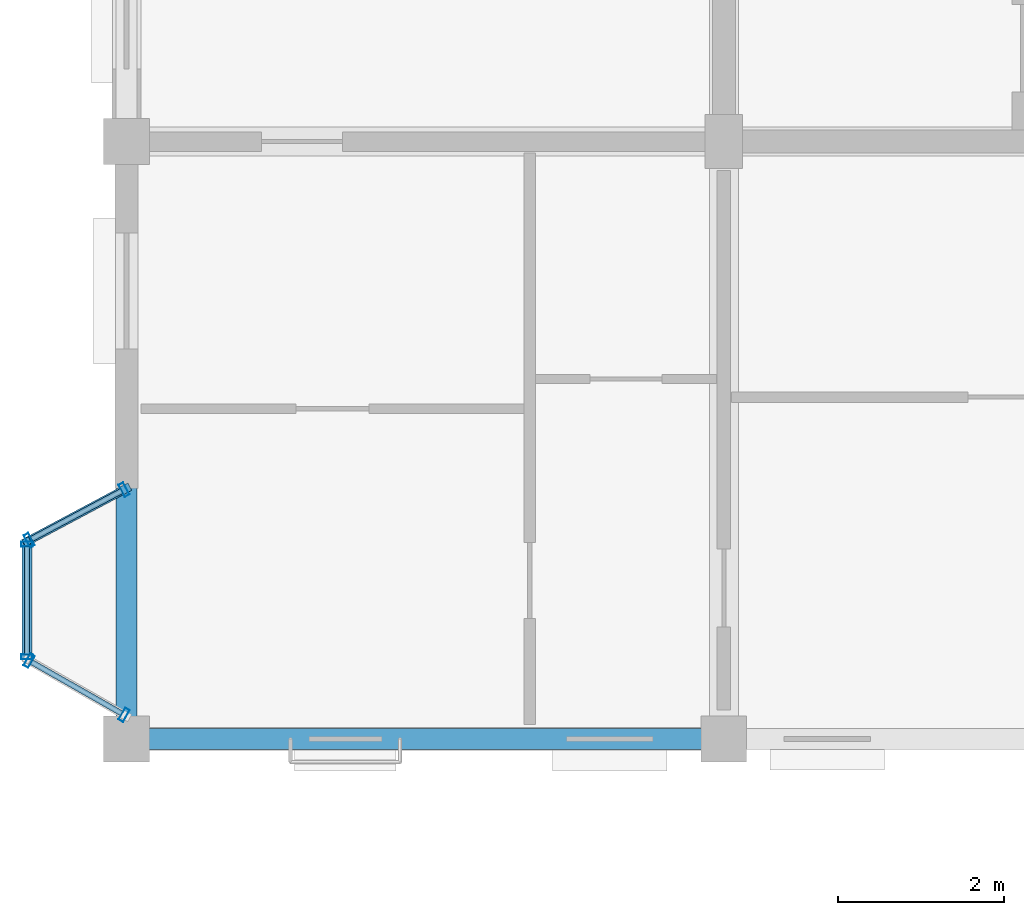
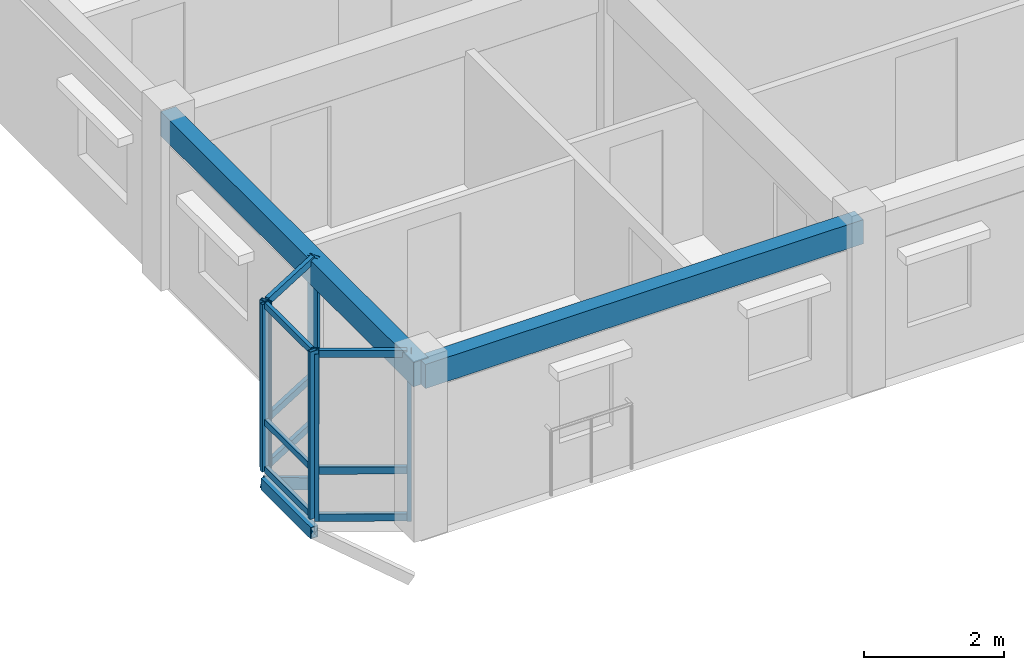
# One storey, part 13 of 79: 17 members, 2 beams, 3 elements without a shape of their own.
"""IFC4 building model written with IfcOpenShell, lengths in metres."""

import ifcopenshell
import ifcopenshell.guid

model = None  # the IFC model being written
_history = None  # IfcOwnerHistory: only IFC2X3 demands one
_inside = {}  # id of a spatial element -> (the spatial element, [elements in it])
_under = {}  # id of a project, library or spatial element -> (it, [spatial elements below it])
_declared = {}  # id of a project -> (the project, [libraries it declares])
_typed = {}  # id of a type object -> (the type object, [elements of that type])
_made_of = {}  # id of a material, layer set ... -> (it, [elements and type objects made of it])


def new_model(schema):
    """Start an empty IFC model of exactly this schema.

    Asked for "IFC4X3", IfcOpenShell would pick the latest addendum, in which some entities
    have other attributes; the version numbers below select the first issue.
    IFC2X3 requires an IfcOwnerHistory on every rooted entity: one is made here for all.
    """
    global model, _history
    if schema == "IFC4X3":
        model = ifcopenshell.file(schema_version=(4, 3, 0, 0))
    else:
        model = ifcopenshell.file(schema=schema)
    _inside.clear()
    _under.clear()
    _declared.clear()
    _typed.clear()
    _made_of.clear()
    _history = None
    if model.schema == "IFC2X3":
        org = make("IfcOrganization", Name="unknown")
        user = make(
            "IfcPersonAndOrganization",
            ThePerson=make("IfcPerson", FamilyName="unknown"),
            TheOrganization=org,
        )
        app = make(
            "IfcApplication",
            ApplicationDeveloper=org,
            Version="unknown",
            ApplicationFullName="unknown",
            ApplicationIdentifier="unknown",
        )
        _history = make(
            "IfcOwnerHistory",
            OwningUser=user,
            OwningApplication=app,
            ChangeAction="ADDED",
            CreationDate=0,
        )
    return model


def make(cls, **values):
    """One entity of the class cls with the attributes given. An attribute that is None is left unset."""
    return model.create_entity(
        cls, **{name: value for name, value in values.items() if value is not None}
    )


def rooted(cls, **values):
    """An entity with a GlobalId (a new one), such as an element, a storey or a relation."""
    return make(cls, GlobalId=ifcopenshell.guid.new(), OwnerHistory=_history, **values)


def si_unit(unit_type, name, prefix=None):
    """IfcSIUnit, for example si_unit("LENGTHUNIT", "METRE", prefix="MILLI")."""
    return make("IfcSIUnit", UnitType=unit_type, Prefix=prefix, Name=name)


def assignment(units):
    """IfcUnitAssignment: the units of a project."""
    return None if units is None else make("IfcUnitAssignment", Units=units)


def point(xyz):
    """IfcCartesianPoint."""
    return None if xyz is None else make("IfcCartesianPoint", Coordinates=xyz)


def direction(xyz):
    """IfcDirection."""
    return None if xyz is None else make("IfcDirection", DirectionRatios=xyz)


def frame(location, z_axis=None, x_axis=None):
    """IfcAxis2Placement3D, a coordinate frame: its origin and axes. An axis left out is left unset."""
    return make(
        "IfcAxis2Placement3D",
        Location=point(location),
        Axis=direction(z_axis),
        RefDirection=direction(x_axis),
    )


def frame_2d(location, x_axis=None):
    """IfcAxis2Placement2D, a coordinate frame in the plane: its origin and x axis."""
    return make(
        "IfcAxis2Placement2D", Location=point(location), RefDirection=direction(x_axis)
    )


def origin():
    """The frame at (0, 0, 0) with its axes left unset."""
    return frame((0.0, 0.0, 0.0))


def origin_2d():
    """The frame at (0, 0) in the plane with its x axis left unset."""
    return frame_2d((0.0, 0.0))


def place(relative_to, where):
    """IfcLocalPlacement: puts the frame where relative to a parent placement (None: the world)."""
    return make(
        "IfcLocalPlacement", PlacementRelTo=relative_to, RelativePlacement=where
    )


def context(
    kind, dimensions, precision=None, world=None, true_north=None, identifier=None
):
    """IfcGeometricRepresentationContext, for example the 3D "Model" context."""
    return make(
        "IfcGeometricRepresentationContext",
        ContextIdentifier=identifier,
        ContextType=kind,
        CoordinateSpaceDimension=dimensions,
        Precision=precision,
        WorldCoordinateSystem=world,
        TrueNorth=true_north,
    )


def subcontext(parent, identifier, kind, view, scale=None):
    """IfcGeometricRepresentationSubContext, for example "Body" below "Model"."""
    return make(
        "IfcGeometricRepresentationSubContext",
        ContextIdentifier=identifier,
        ContextType=kind,
        ParentContext=parent,
        TargetScale=scale,
        TargetView=view,
    )


def project(units=None, contexts=None):
    """IfcProject with its units and contexts."""
    return rooted(
        "IfcProject",
        Name="project",
        RepresentationContexts=contexts,
        UnitsInContext=assignment(units),
    )


def spatial(cls, under=None, at=None, **own):
    """A site, building, storey or space (cls), placed at a placement, below another one or the project."""
    s = rooted(cls, ObjectPlacement=at, **own)
    if under is not None:
        _under.setdefault(under.id(), (under, []))[1].append(s)
    return s


def profile(cls, at=None, kind="AREA", **sizes):
    """A parametric profile (cls). Its sizes go by their IFC names, for example OverallWidth=200.0."""
    return make(cls, ProfileType=kind, Position=at, **sizes)


def rectangle(**sizes):
    """IfcRectangleProfileDef."""
    return profile("IfcRectangleProfileDef", **sizes)


def hollow_rectangle(**sizes):
    """IfcRectangleHollowProfileDef."""
    return profile("IfcRectangleHollowProfileDef", **sizes)


def extrude(swept, where, along, depth):
    """IfcExtrudedAreaSolid: the profile swept, set in the frame where, extruded along a direction by depth."""
    return make(
        "IfcExtrudedAreaSolid",
        SweptArea=swept,
        Position=where,
        ExtrudedDirection=direction(along),
        Depth=depth,
    )


def shape(context_of_items, identifier, shape_type, items):
    """IfcShapeRepresentation: the items that make up one representation, for example the "Body"."""
    return make(
        "IfcShapeRepresentation",
        ContextOfItems=context_of_items,
        RepresentationIdentifier=identifier,
        RepresentationType=shape_type,
        Items=items,
    )


def material(Name=None, Category=None):
    """IfcMaterial."""
    return make("IfcMaterial", Name=Name, Category=Category)


def layer(
    of_material, thickness, ventilated=None, Name=None, Category=None, Priority=None
):
    """IfcMaterialLayer: one layer of a wall or slab, of a material (None: an air gap)."""
    return make(
        "IfcMaterialLayer",
        Material=of_material,
        LayerThickness=thickness,
        IsVentilated=ventilated,
        Name=Name,
        Category=Category,
        Priority=Priority,
    )


def layer_set(layers, Name=None):
    """IfcMaterialLayerSet."""
    return make("IfcMaterialLayerSet", MaterialLayers=layers, LayerSetName=Name)


def material_profile(
    of_material, cross_section, Name=None, Category=None, Priority=None
):
    """IfcMaterialProfile: a cross section and its material."""
    return make(
        "IfcMaterialProfile",
        Name=Name,
        Material=of_material,
        Profile=cross_section,
        Priority=Priority,
        Category=Category,
    )


def profile_set(profiles, Name=None, composite=None):
    """IfcMaterialProfileSet."""
    return make(
        "IfcMaterialProfileSet",
        Name=Name,
        MaterialProfiles=profiles,
        CompositeProfile=composite,
    )


def made_of(thing, what):
    """Note that an element or type object is made of a material, layer set ...; save() writes the relation."""
    if what is not None:
        _made_of.setdefault(what.id(), (what, []))[1].append(thing)
    return thing


def type_object(cls, material=None, **own):
    """A type object (cls), such as IfcWallType, which elements share."""
    return made_of(rooted(cls, **own), material)


def element(
    cls,
    number,
    at=None,
    inside=None,
    cuts=None,
    type_object=None,
    material=None,
    context=None,
    identifier="Body",
    shape_type=None,
    held_by="IfcProductDefinitionShape",
    body=None,
    shapes=None,
    **own,
):
    """One element of the class cls, such as IfcWall. Its Tag is "e" and its number.

    at: its placement. inside: the storey or other place that contains it. cuts: it is an
    opening in that element (IfcRelVoidsElement). A single representation is given by context,
    identifier, shape_type and body (its items); several are given by shapes. held_by: the class
    of the entity that holds the representations. save() writes the other relations.
    """
    e = rooted(cls, Tag="e%d" % number, ObjectPlacement=at, **own)
    if body is not None:
        shapes = [shape(context, identifier, shape_type, body)]
    if shapes is not None:
        e.Representation = make(held_by, Representations=shapes)
    if inside is not None:
        _inside.setdefault(inside.id(), (inside, []))[1].append(e)
    if cuts is not None:
        rooted(
            "IfcRelVoidsElement", RelatingBuildingElement=cuts, RelatedOpeningElement=e
        )
    if type_object is not None:
        _typed.setdefault(type_object.id(), (type_object, []))[1].append(e)
    return made_of(e, material)


def aggregate(whole, parts):
    """IfcRelAggregates: a whole, such as a stair, and the parts it consists of."""
    return rooted("IfcRelAggregates", RelatingObject=whole, RelatedObjects=parts)


def save(model, path):
    """Write the relations noted so far, then the file.

    IfcRelAggregates (storeys below a building ...), IfcRelContainedInSpatialStructure (elements
    in a storey), IfcRelDefinesByType, IfcRelAssociatesMaterial and IfcRelDeclares: one each for
    every whole, place, type object, material and project.
    """
    for whole, parts in _under.values():
        aggregate(whole, parts)
    for where, things in _inside.values():
        rooted(
            "IfcRelContainedInSpatialStructure",
            RelatedElements=things,
            RelatingStructure=where,
        )
    for kind, things in _typed.values():
        rooted("IfcRelDefinesByType", RelatedObjects=things, RelatingType=kind)
    for what, things in _made_of.values():
        rooted("IfcRelAssociatesMaterial", RelatedObjects=things, RelatingMaterial=what)
    for by, libraries in _declared.values():
        rooted("IfcRelDeclares", RelatingContext=by, RelatedDefinitions=libraries)
    model.write(path)


model = new_model("IFC4")

# Units and contexts
model_context = context("Model", 3, precision=1e-05, world=origin(), true_north=direction((0.0, 1.0)))
body_context = subcontext(model_context, "Body", "Model", "MODEL_VIEW")
ifc_project = project(units=[si_unit("LENGTHUNIT", "METRE"), si_unit("AREAUNIT", "SQUARE_METRE"), si_unit("VOLUMEUNIT", "CUBIC_METRE"), si_unit("PLANEANGLEUNIT", "RADIAN"), si_unit("MASSUNIT", "GRAM", prefix="KILO"), si_unit("THERMODYNAMICTEMPERATUREUNIT", "KELVIN"), si_unit("POWERUNIT", "WATT")], contexts=[model_context])

# Site, building, storey
site_placement = place(None, origin())
site = spatial("IfcSite", under=ifc_project, at=site_placement, CompositionType="ELEMENT")
building_placement = place(site_placement, origin())
building = spatial("IfcBuilding", under=site, at=building_placement, Name="Tavuni Mirador Residences", CompositionType="ELEMENT")
storey_placement = place(building_placement, frame((0.0, 0.0, 13.949951171875)))
storey = spatial("IfcBuildingStorey", under=building, at=storey_placement, Name="L04", CompositionType="ELEMENT", Elevation=13.949951171875)

# Beams
ifc_material_1 = material(Name="Precast concrete C40/50", Category="concrete")
ifc_material_profile_1 = material_profile(ifc_material_1, rectangle(XDim=0.25, YDim=0.419921875, at=origin_2d()), Name="PC 250x420", Category="concrete")
ifc_profile_set_1 = profile_set([ifc_material_profile_1], Name="Precast concrete C40/50")
beam_type = type_object("IfcBeamType", Name="BT-SP420", PredefinedType="SPANDREL", material=ifc_profile_set_1)
for number, where, z_axis, x_axis, name in (
    (1, (3.60009765625, 64.800048828125, 2.699951171875), (1.0, 0.0, 0.0), (0.0, 1.0, 0.0), "BMX-BLK-B-L04-00-00"),
    (2, (3.60009765625, 64.800048828125, 2.699951171875), (0.0, 1.0, 0.0), (-1.0, 0.0, 0.0), "BMY-BLK-B-L04-00-00"),
):
    element("IfcBeam", number, at=place(storey_placement, frame(where, z_axis=z_axis, x_axis=x_axis)), inside=storey, type_object=beam_type, Name=name, PredefinedType="SPANDREL", context=body_context, shape_type="SweptSolid", body=[
        extrude(rectangle(XDim=0.25, YDim=0.419921875, at=origin_2d()), origin(), (0.0, 0.0, 1.0), 7.199951171875),
    ])

# Curtain wall, members
ifc_material_2 = material(Name="Anodised aluminium", Category="aluminium")
ifc_layer_1 = layer(ifc_material_2, 0.175048828125, Name="Anodised aluminium", Category="aluminium")
ifc_layer_set_1 = layer_set([ifc_layer_1], Name="Anodised aluminium")
curtain_wall_type_1 = type_object("IfcCurtainWallType", Name="CWT-MIR-C", PredefinedType="NOTDEFINED", material=ifc_layer_set_1)
curtain_wall_1_placement = place(storey_placement, origin())
curtain_wall_1 = element("IfcCurtainWall", 3, at=curtain_wall_1_placement, inside=storey, type_object=curtain_wall_type_1, Name="CW-MIR-B-W1-L04-MF", PredefinedType="NOTDEFINED")
ifc_material_profile_2 = material_profile(ifc_material_2, hollow_rectangle(XDim=0.06005859375, YDim=0.139892578125, WallThickness=0.00390625, at=origin_2d()), Name="ALU 60x140x4.0", Category="aluminium")
ifc_profile_set_2 = profile_set([ifc_material_profile_2], Name="Anodised aluminium")
member_type_1 = type_object("IfcMemberType", Name="CWM-140", PredefinedType="MULLION", material=ifc_profile_set_2)
member_1_placement = place(storey_placement, frame((2.39990234375, 67.14990234375, 0.0), z_axis=(0.0, 0.0, 1.0), x_axis=(0.0, -1.0, 0.0)))
member_1 = element("IfcMember", 4, at=member_1_placement, type_object=member_type_1, Name="CW-03 mullion 1", PredefinedType="MULLION", context=body_context, shape_type="SweptSolid", body=[
    extrude(hollow_rectangle(XDim=0.06005859375, YDim=0.139892578125, WallThickness=0.00390625, at=origin_2d()), origin(), (0.0, 0.0, 1.0), 2.91015625),
])
member_2_placement = place(storey_placement, frame((2.39990234375, 65.7900390625, 0.0), z_axis=(0.0, 0.0, 1.0), x_axis=(0.0, -1.0, 0.0)))
member_2 = element("IfcMember", 5, at=member_2_placement, type_object=member_type_1, Name="CW-03 mullion 2", PredefinedType="MULLION", context=body_context, shape_type="SweptSolid", body=[
    extrude(hollow_rectangle(XDim=0.06005859375, YDim=0.139892578125, WallThickness=0.00390625, at=origin_2d()), origin(), (0.0, 0.0, 1.0), 2.91015625),
])

ifc_layer_2 = layer(ifc_material_2, 0.14990234375, Name="Anodised aluminium", Category="aluminium")
ifc_layer_set_2 = layer_set([ifc_layer_2], Name="Anodised aluminium")
curtain_wall_type_2 = type_object("IfcCurtainWallType", Name="CWT-MIR-B", PredefinedType="NOTDEFINED", material=ifc_layer_set_2)
curtain_wall_2_placement = place(storey_placement, origin())
curtain_wall_2 = element("IfcCurtainWall", 6, at=curtain_wall_2_placement, inside=storey, type_object=curtain_wall_type_2, Name="CW-MIR-B-W1-L04-M1", PredefinedType="NOTDEFINED")
ifc_material_profile_3 = material_profile(ifc_material_2, hollow_rectangle(XDim=0.06494140625, YDim=0.1650390625, WallThickness=0.00439453125, at=origin_2d()), Name="ALU 65x165x4.5", Category="aluminium")
ifc_profile_set_3 = profile_set([ifc_material_profile_3], Name="Anodised aluminium")
member_type_2 = type_object("IfcMemberType", Name="CWM-165", PredefinedType="MULLION", material=ifc_profile_set_3)
member_3_placement = place(storey_placement, frame((3.5712890625, 67.8046875, 0.0), z_axis=(0.0, 0.0, 1.0), x_axis=(-0.882352941175, -0.470588235296, 0.0)))
member_3 = element("IfcMember", 7, at=member_3_placement, type_object=member_type_2, Name="CW-02 mullion 1", PredefinedType="MULLION", context=body_context, shape_type="SweptSolid", body=[
    extrude(hollow_rectangle(XDim=0.06494140625, YDim=0.1650390625, WallThickness=0.00439453125, at=origin_2d()), origin(), (0.0, 0.0, 1.0), 2.91015625),
])
member_4_placement = place(storey_placement, frame((2.4287109375, 67.1953125, 0.0), z_axis=(0.0, 0.0, 1.0), x_axis=(-0.882352941175, -0.470588235296, 0.0)))
member_4 = element("IfcMember", 8, at=member_4_placement, type_object=member_type_2, Name="CW-02 mullion 2", PredefinedType="MULLION", context=body_context, shape_type="SweptSolid", body=[
    extrude(hollow_rectangle(XDim=0.06494140625, YDim=0.1650390625, WallThickness=0.00439453125, at=origin_2d()), origin(), (0.0, 0.0, 1.0), 2.91015625),
])

ifc_layer_3 = layer(ifc_material_2, 0.159912109375, Name="Anodised aluminium", Category="aluminium")
ifc_layer_set_3 = layer_set([ifc_layer_3], Name="Anodised aluminium")
curtain_wall_type_3 = type_object("IfcCurtainWallType", Name="CWT-MIR-D", PredefinedType="NOTDEFINED", material=ifc_layer_set_3)
curtain_wall_3_placement = place(storey_placement, origin())
curtain_wall_3 = element("IfcCurtainWall", 9, at=curtain_wall_3_placement, inside=storey, type_object=curtain_wall_type_3, Name="CW-MIR-B-W1-L04-M2", PredefinedType="NOTDEFINED")
member_5_placement = place(storey_placement, frame((2.42822265625, 65.743896484375, 0.0), z_axis=(0.0, 0.0, 1.0), x_axis=(0.868465738194, -0.495749192217, 0.0)))
member_5 = element("IfcMember", 10, at=member_5_placement, type_object=member_type_2, Name="CW-04 mullion 1", PredefinedType="MULLION", context=body_context, shape_type="SweptSolid", body=[
    extrude(hollow_rectangle(XDim=0.06494140625, YDim=0.1650390625, WallThickness=0.00439453125, at=origin_2d()), origin(), (0.0, 0.0, 1.0), 2.91015625),
])
member_6_placement = place(storey_placement, frame((3.57177734375, 65.091064453125, 0.0), z_axis=(0.0, 0.0, 1.0), x_axis=(0.868465738194, -0.495749192217, 0.0)))
member_6 = element("IfcMember", 11, at=member_6_placement, type_object=member_type_2, Name="CW-04 mullion 2", PredefinedType="MULLION", context=body_context, shape_type="SweptSolid", body=[
    extrude(hollow_rectangle(XDim=0.06494140625, YDim=0.1650390625, WallThickness=0.00439453125, at=origin_2d()), origin(), (0.0, 0.0, 1.0), 2.91015625),
])

# Member
ifc_material_profile_4 = material_profile(ifc_material_2, hollow_rectangle(XDim=0.06005859375, YDim=0.110107421875, WallThickness=0.00390625, at=origin_2d()), Name="ALU 60x110x4.0", Category="aluminium")
ifc_profile_set_4 = profile_set([ifc_material_profile_4], Name="Anodised aluminium")
member_type_3 = type_object("IfcMemberType", Name="CWT-110", PredefinedType="USERDEFINED", material=ifc_profile_set_4)
member_7_placement = place(storey_placement, frame((2.39990234375, 67.1201171875, 0.030029296875), z_axis=(0.0, -1.0, 0.0), x_axis=(1.0, 0.0, 0.0)))
member_7 = element("IfcMember", 12, at=member_7_placement, type_object=member_type_3, Name="CW-03 transom 1.1", ObjectType="TRANSOM", PredefinedType="USERDEFINED", context=body_context, shape_type="SweptSolid", body=[
    extrude(hollow_rectangle(XDim=0.06005859375, YDim=0.110107421875, WallThickness=0.00390625, at=origin_2d()), origin(), (0.0, 0.0, 1.0), 1.300048828125),
])

member_8_placement = place(storey_placement, frame((2.39990234375, 67.1201171875, 0.85009765625), z_axis=(0.0, -1.0, 0.0), x_axis=(1.0, 0.0, 0.0)))
member_8 = element("IfcMember", 13, at=member_8_placement, type_object=member_type_3, Name="CW-03 transom 1.2", ObjectType="TRANSOM", PredefinedType="USERDEFINED", context=body_context, shape_type="SweptSolid", body=[
    extrude(hollow_rectangle(XDim=0.06005859375, YDim=0.110107421875, WallThickness=0.00390625, at=origin_2d()), origin(), (0.0, 0.0, 1.0), 1.300048828125),
])

member_9_placement = place(storey_placement, frame((2.39990234375, 67.1201171875, 2.880126953125), z_axis=(0.0, -1.0, 0.0), x_axis=(1.0, 0.0, 0.0)))
member_9 = element("IfcMember", 14, at=member_9_placement, type_object=member_type_3, Name="CW-03 transom 1.3", ObjectType="TRANSOM", PredefinedType="USERDEFINED", context=body_context, shape_type="SweptSolid", body=[
    extrude(hollow_rectangle(XDim=0.06005859375, YDim=0.110107421875, WallThickness=0.00390625, at=origin_2d()), origin(), (0.0, 0.0, 1.0), 1.300048828125),
])

aggregate(curtain_wall_1, [member_1, member_2, member_7, member_8, member_9])

ifc_material_profile_5 = material_profile(ifc_material_2, hollow_rectangle(XDim=0.06494140625, YDim=0.125, WallThickness=0.00439453125, at=origin_2d()), Name="ALU 65x125x4.5", Category="aluminium")
ifc_profile_set_5 = profile_set([ifc_material_profile_5], Name="Anodised aluminium")
member_type_4 = type_object("IfcMemberType", Name="CWT-125", PredefinedType="USERDEFINED", material=ifc_profile_set_5)
member_10_placement = place(storey_placement, frame((3.542724609375, 67.789306640625, 0.032470703125), z_axis=(-0.882451819392, -0.470402791714, 0.0), x_axis=(0.470402791714, -0.882451819392, 0.0)))
member_10 = element("IfcMember", 15, at=member_10_placement, type_object=member_type_4, Name="CW-02 transom 1.1", ObjectType="TRANSOM", PredefinedType="USERDEFINED", context=body_context, shape_type="SweptSolid", body=[
    extrude(hollow_rectangle(XDim=0.06494140625, YDim=0.125, WallThickness=0.00439453125, at=origin_2d()), origin(), (0.0, 0.0, 1.0), 1.22998046875),
])

member_11_placement = place(storey_placement, frame((3.542724609375, 67.789306640625, 0.85009765625), z_axis=(-0.882451819392, -0.470402791714, 0.0), x_axis=(0.470402791714, -0.882451819392, 0.0)))
member_11 = element("IfcMember", 16, at=member_11_placement, type_object=member_type_4, Name="CW-02 transom 1.2", ObjectType="TRANSOM", PredefinedType="USERDEFINED", context=body_context, shape_type="SweptSolid", body=[
    extrude(hollow_rectangle(XDim=0.06494140625, YDim=0.125, WallThickness=0.00439453125, at=origin_2d()), origin(), (0.0, 0.0, 1.0), 1.22998046875),
])

member_12_placement = place(storey_placement, frame((3.542724609375, 67.789306640625, 2.87744140625), z_axis=(-0.882451819392, -0.470402791714, 0.0), x_axis=(0.470402791714, -0.882451819392, 0.0)))
member_12 = element("IfcMember", 17, at=member_12_placement, type_object=member_type_4, Name="CW-02 transom 1.3", ObjectType="TRANSOM", PredefinedType="USERDEFINED", context=body_context, shape_type="SweptSolid", body=[
    extrude(hollow_rectangle(XDim=0.06494140625, YDim=0.125, WallThickness=0.00439453125, at=origin_2d()), origin(), (0.0, 0.0, 1.0), 1.22998046875),
])

aggregate(curtain_wall_2, [member_3, member_4, member_10, member_11, member_12])

member_13_placement = place(storey_placement, frame((2.45654296875, 65.727783203125, 0.032470703125), z_axis=(0.868411144788, -0.495844818071, 0.0), x_axis=(0.495844818071, 0.868411144788, 0.0)))
member_13 = element("IfcMember", 18, at=member_13_placement, type_object=member_type_4, Name="CW-04 transom 1.1", ObjectType="TRANSOM", PredefinedType="USERDEFINED", context=body_context, shape_type="SweptSolid", body=[
    extrude(hollow_rectangle(XDim=0.06494140625, YDim=0.125, WallThickness=0.00439453125, at=origin_2d()), origin(), (0.0, 0.0, 1.0), 1.251708984375),
])

member_14_placement = place(storey_placement, frame((2.45654296875, 65.727783203125, 0.85009765625), z_axis=(0.868411144788, -0.495844818071, 0.0), x_axis=(0.495844818071, 0.868411144788, 0.0)))
member_14 = element("IfcMember", 19, at=member_14_placement, type_object=member_type_4, Name="CW-04 transom 1.2", ObjectType="TRANSOM", PredefinedType="USERDEFINED", context=body_context, shape_type="SweptSolid", body=[
    extrude(hollow_rectangle(XDim=0.06494140625, YDim=0.125, WallThickness=0.00439453125, at=origin_2d()), origin(), (0.0, 0.0, 1.0), 1.251708984375),
])

member_15_placement = place(storey_placement, frame((2.45654296875, 65.727783203125, 2.87744140625), z_axis=(0.868411144788, -0.495844818071, 0.0), x_axis=(0.495844818071, 0.868411144788, 0.0)))
member_15 = element("IfcMember", 20, at=member_15_placement, type_object=member_type_4, Name="CW-04 transom 1.3", ObjectType="TRANSOM", PredefinedType="USERDEFINED", context=body_context, shape_type="SweptSolid", body=[
    extrude(hollow_rectangle(XDim=0.06494140625, YDim=0.125, WallThickness=0.00439453125, at=origin_2d()), origin(), (0.0, 0.0, 1.0), 1.251708984375),
])

aggregate(curtain_wall_3, [member_5, member_6, member_13, member_14, member_15])

# Members
ifc_material_3 = material(Name="Structural steel S355", Category="steel")
ifc_material_profile_6 = material_profile(ifc_material_3, hollow_rectangle(XDim=0.10009765625, YDim=0.179931640625, WallThickness=0.008056640625, at=origin_2d()), Name="RHS 180x100x8.0", Category="steel")
ifc_profile_set_6 = profile_set([ifc_material_profile_6], Name="Structural steel S355")
member_type_5 = type_object("IfcMemberType", Name="MT-BR-RHS180", PredefinedType="BRACE", material=ifc_profile_set_6)
member_16_placement = place(storey_placement, frame((3.60009765625, 67.820068359375, -1.050048828125), z_axis=(-0.758094559112, -0.404337659478, 0.511667564511), x_axis=(0.470606866739, -0.882343004153, 0.0)))
element("IfcMember", 21, at=member_16_placement, inside=storey, type_object=member_type_5, Name="MBRK-MIR-B-W1-L04-2", PredefinedType="BRACE", context=body_context, shape_type="SweptSolid", body=[
    extrude(hollow_rectangle(XDim=0.10009765625, YDim=0.179931640625, WallThickness=0.008056640625, at=origin_2d()), origin(), (0.0, 0.0, 1.0), 1.583251953125),
])
ifc_material_profile_7 = material_profile(ifc_material_3, hollow_rectangle(XDim=0.1201171875, YDim=0.199951171875, WallThickness=0.010009765625, at=origin_2d()), Name="RHS 200x120x10.0", Category="steel")
ifc_profile_set_7 = profile_set([ifc_material_profile_7], Name="Structural steel S355")
member_type_6 = type_object("IfcMemberType", Name="MT-ST-RHS200", PredefinedType="STRUT", material=ifc_profile_set_7)
member_17_placement = place(storey_placement, frame((2.39990234375, 65.760009765625, -0.239990234375), z_axis=(0.0, 1.0, 0.0), x_axis=(-1.0, 0.0, 0.0)))
element("IfcMember", 22, at=member_17_placement, inside=storey, type_object=member_type_6, Name="MRIM-MIR-B-W1-L04", PredefinedType="STRUT", context=body_context, shape_type="SweptSolid", body=[
    extrude(hollow_rectangle(XDim=0.1201171875, YDim=0.199951171875, WallThickness=0.010009765625, at=origin_2d()), origin(), (0.0, 0.0, 1.0), 1.419921875),
])

save(model, "model.ifc")
